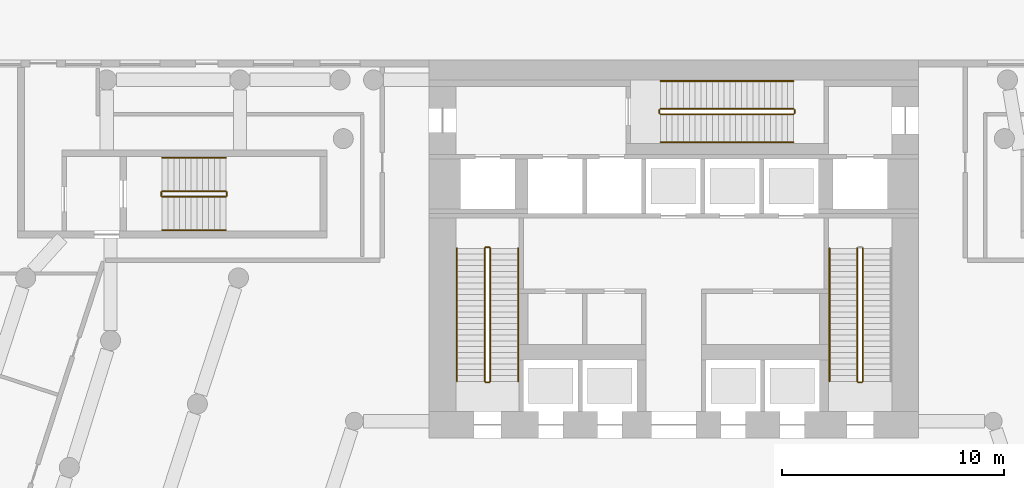
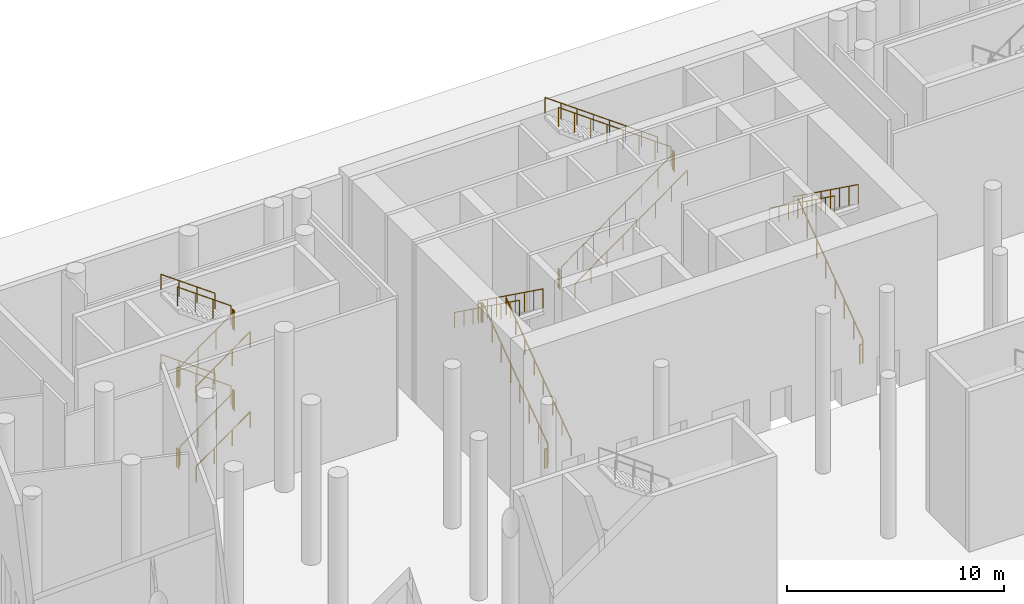
# One storey, part 23 of 25: 28 railings.
"""IFC4 building model written with IfcOpenShell, lengths in metres."""

from ifc_helpers import new_model, si_unit, direction, frame, origin, origin_2d, place, context, subcontext, project, spatial, circle, extrude, material, type_object, element, save


model = new_model("IFC4")

# Units and contexts
model_context = context("Model", 3, precision=1e-05, world=origin(), true_north=direction((0.0, 1.0)))
body_context = subcontext(model_context, "Body", "Model", "MODEL_VIEW")
ifc_project = project(units=[si_unit("LENGTHUNIT", "METRE"), si_unit("AREAUNIT", "SQUARE_METRE"), si_unit("VOLUMEUNIT", "CUBIC_METRE"), si_unit("PLANEANGLEUNIT", "RADIAN"), si_unit("MASSUNIT", "GRAM", prefix="KILO")], contexts=[model_context])

# Site, building, storey
site_placement = place(None, origin())
site = spatial("IfcSite", under=ifc_project, at=site_placement, CompositionType="ELEMENT")
building_placement = place(site_placement, origin())
building = spatial("IfcBuilding", under=site, at=building_placement, Name="White Candle Pilgrim Tower", CompositionType="ELEMENT")
storey_placement = place(building_placement, origin())
storey = spatial("IfcBuildingStorey", under=building, at=storey_placement, Name="L00", CompositionType="ELEMENT", Elevation=0.0)

# Railings
ifc_material = material(Name="Stainless steel", Category="steel")
railing_type_1 = type_object("IfcRailingType", Name="Stair guard stainless steel 1100 mm", PredefinedType="GUARDRAIL", material=ifc_material)
railing_1_placement = place(storey_placement, frame((61.75, 73.550048828125, 0.1875)))
element("IfcRailing", 1, at=railing_1_placement, inside=storey, type_object=railing_type_1, Name="L00 ST1 stair guard 1", PredefinedType="GUARDRAIL", context=body_context, shape_type="SweptSolid", body=[
    extrude(circle(Radius=0.02392578125, at=origin_2d()), frame((0.0, 0.0, 1.076171875), z_axis=(0.0, 0.811089425434, 0.584922169138), x_axis=(-1.0, 0.0, 0.0)), (0.0, 0.0, 1.0), 7.372802734375),
    extrude(circle(Radius=0.02099609375, at=origin_2d()), origin(), (0.0, 0.0, 1.0), 1.052001953125),
    extrude(circle(Radius=0.02099609375, at=origin_2d()), frame((0.0, 0.854248046875, 0.615966796875)), (0.0, 0.0, 1.0), 1.052001953125),
    extrude(circle(Radius=0.02099609375, at=origin_2d()), frame((0.0, 1.70849609375, 1.232177734375)), (0.0, 0.0, 1.0), 1.052001953125),
    extrude(circle(Radius=0.02099609375, at=origin_2d()), frame((0.0, 2.562744140625, 1.84814453125)), (0.0, 0.0, 1.0), 1.052001953125),
    extrude(circle(Radius=0.02099609375, at=origin_2d()), frame((0.0, 3.417236328125, 2.46435546875)), (0.0, 0.0, 1.0), 1.052001953125),
    extrude(circle(Radius=0.02099609375, at=origin_2d()), frame((0.0, 4.271484375, 3.080322265625)), (0.0, 0.0, 1.0), 1.052001953125),
    extrude(circle(Radius=0.02099609375, at=origin_2d()), frame((0.0, 5.125732421875, 3.696533203125)), (0.0, 0.0, 1.0), 1.052001953125),
    extrude(circle(Radius=0.02099609375, at=origin_2d()), frame((0.0, 5.97998046875, 4.3125)), (0.0, 0.0, 1.0), 1.052001953125),
])
railing_2_placement = place(storey_placement, frame((61.699951171875, 79.580078125, 4.5)))
element("IfcRailing", 2, at=railing_2_placement, inside=storey, type_object=railing_type_1, Name="L00 ST1 stair guard 2", PredefinedType="GUARDRAIL", context=body_context, shape_type="SweptSolid", body=[
    extrude(circle(Radius=0.02392578125, at=origin_2d()), frame((0.0, 0.0, 1.076171875), z_axis=(-1.0, 0.0, 0.0), x_axis=(0.0, -1.0, 0.0)), (0.0, 0.0, 1.0), 0.14990234375),
    extrude(circle(Radius=0.02099609375, at=origin_2d()), origin(), (0.0, 0.0, 1.0), 1.052001953125),
    extrude(circle(Radius=0.02099609375, at=origin_2d()), frame((-0.14990234375, 0.0, 0.0)), (0.0, 0.0, 1.0), 1.052001953125),
])
railing_3_placement = place(storey_placement, frame((61.5, 79.530029296875, 4.6875)))
element("IfcRailing", 3, at=railing_3_placement, inside=storey, type_object=railing_type_1, Name="L00 ST1 stair guard 3", PredefinedType="GUARDRAIL", context=body_context, shape_type="SweptSolid", body=[
    extrude(circle(Radius=0.02392578125, at=origin_2d()), frame((0.0, 0.0, 1.076171875), z_axis=(0.0, -0.811089425434, 0.584922169138), x_axis=(1.0, 0.0, 0.0)), (0.0, 0.0, 1.0), 7.372802734375),
    extrude(circle(Radius=0.02099609375, at=origin_2d()), origin(), (0.0, 0.0, 1.0), 1.052001953125),
    extrude(circle(Radius=0.02099609375, at=origin_2d()), frame((0.0, -0.854248046875, 0.615966796875)), (0.0, 0.0, 1.0), 1.052001953125),
    extrude(circle(Radius=0.02099609375, at=origin_2d()), frame((0.0, -1.70849609375, 1.232177734375)), (0.0, 0.0, 1.0), 1.052001953125),
    extrude(circle(Radius=0.02099609375, at=origin_2d()), frame((0.0, -2.562744140625, 1.84814453125)), (0.0, 0.0, 1.0), 1.052001953125),
    extrude(circle(Radius=0.02099609375, at=origin_2d()), frame((0.0, -3.417236328125, 2.46435546875)), (0.0, 0.0, 1.0), 1.052001953125),
    extrude(circle(Radius=0.02099609375, at=origin_2d()), frame((0.0, -4.271484375, 3.080322265625)), (0.0, 0.0, 1.0), 1.052001953125),
    extrude(circle(Radius=0.02099609375, at=origin_2d()), frame((0.0, -5.125732421875, 3.696533203125)), (0.0, 0.0, 1.0), 1.052001953125),
    extrude(circle(Radius=0.02099609375, at=origin_2d()), frame((0.0, -5.97998046875, 4.3125)), (0.0, 0.0, 1.0), 1.052001953125),
])
railing_4_placement = place(storey_placement, frame((61.699951171875, 73.5, 0.0)))
element("IfcRailing", 4, at=railing_4_placement, inside=storey, type_object=railing_type_1, Name="L00 ST1 stair guard 4", PredefinedType="GUARDRAIL", context=body_context, shape_type="SweptSolid", body=[
    extrude(circle(Radius=0.02392578125, at=origin_2d()), frame((0.0, 0.0, 1.076171875), z_axis=(-1.0, 0.0, 0.0), x_axis=(0.0, -1.0, 0.0)), (0.0, 0.0, 1.0), 0.14990234375),
    extrude(circle(Radius=0.02099609375, at=origin_2d()), origin(), (0.0, 0.0, 1.0), 1.052001953125),
    extrude(circle(Radius=0.02099609375, at=origin_2d()), frame((-0.14990234375, 0.0, 0.0)), (0.0, 0.0, 1.0), 1.052001953125),
])
railing_5_placement = place(storey_placement, frame((78.5, 73.550048828125, 0.1875)))
element("IfcRailing", 5, at=railing_5_placement, inside=storey, type_object=railing_type_1, Name="L00 ST2 stair guard 1", PredefinedType="GUARDRAIL", context=body_context, shape_type="SweptSolid", body=[
    extrude(circle(Radius=0.02392578125, at=origin_2d()), frame((0.0, 0.0, 1.076171875), z_axis=(0.0, 0.811089425434, 0.584922169138), x_axis=(-1.0, 0.0, 0.0)), (0.0, 0.0, 1.0), 7.372802734375),
    extrude(circle(Radius=0.02099609375, at=origin_2d()), origin(), (0.0, 0.0, 1.0), 1.052001953125),
    extrude(circle(Radius=0.02099609375, at=origin_2d()), frame((0.0, 0.854248046875, 0.615966796875)), (0.0, 0.0, 1.0), 1.052001953125),
    extrude(circle(Radius=0.02099609375, at=origin_2d()), frame((0.0, 1.70849609375, 1.232177734375)), (0.0, 0.0, 1.0), 1.052001953125),
    extrude(circle(Radius=0.02099609375, at=origin_2d()), frame((0.0, 2.562744140625, 1.84814453125)), (0.0, 0.0, 1.0), 1.052001953125),
    extrude(circle(Radius=0.02099609375, at=origin_2d()), frame((0.0, 3.417236328125, 2.46435546875)), (0.0, 0.0, 1.0), 1.052001953125),
    extrude(circle(Radius=0.02099609375, at=origin_2d()), frame((0.0, 4.271484375, 3.080322265625)), (0.0, 0.0, 1.0), 1.052001953125),
    extrude(circle(Radius=0.02099609375, at=origin_2d()), frame((0.0, 5.125732421875, 3.696533203125)), (0.0, 0.0, 1.0), 1.052001953125),
    extrude(circle(Radius=0.02099609375, at=origin_2d()), frame((0.0, 5.97998046875, 4.3125)), (0.0, 0.0, 1.0), 1.052001953125),
])
railing_6_placement = place(storey_placement, frame((78.25, 79.530029296875, 4.6875)))
element("IfcRailing", 6, at=railing_6_placement, inside=storey, type_object=railing_type_1, Name="L00 ST2 stair guard 3", PredefinedType="GUARDRAIL", context=body_context, shape_type="SweptSolid", body=[
    extrude(circle(Radius=0.02392578125, at=origin_2d()), frame((0.0, 0.0, 1.076171875), z_axis=(0.0, -0.811089425434, 0.584922169138), x_axis=(1.0, 0.0, 0.0)), (0.0, 0.0, 1.0), 7.372802734375),
    extrude(circle(Radius=0.02099609375, at=origin_2d()), origin(), (0.0, 0.0, 1.0), 1.052001953125),
    extrude(circle(Radius=0.02099609375, at=origin_2d()), frame((0.0, -0.854248046875, 0.615966796875)), (0.0, 0.0, 1.0), 1.052001953125),
    extrude(circle(Radius=0.02099609375, at=origin_2d()), frame((0.0, -1.70849609375, 1.232177734375)), (0.0, 0.0, 1.0), 1.052001953125),
    extrude(circle(Radius=0.02099609375, at=origin_2d()), frame((0.0, -2.562744140625, 1.84814453125)), (0.0, 0.0, 1.0), 1.052001953125),
    extrude(circle(Radius=0.02099609375, at=origin_2d()), frame((0.0, -3.417236328125, 2.46435546875)), (0.0, 0.0, 1.0), 1.052001953125),
    extrude(circle(Radius=0.02099609375, at=origin_2d()), frame((0.0, -4.271484375, 3.080322265625)), (0.0, 0.0, 1.0), 1.052001953125),
    extrude(circle(Radius=0.02099609375, at=origin_2d()), frame((0.0, -5.125732421875, 3.696533203125)), (0.0, 0.0, 1.0), 1.052001953125),
    extrude(circle(Radius=0.02099609375, at=origin_2d()), frame((0.0, -5.97998046875, 4.3125)), (0.0, 0.0, 1.0), 1.052001953125),
])
railing_7_placement = place(storey_placement, frame((78.449951171875, 73.5, 0.0)))
element("IfcRailing", 7, at=railing_7_placement, inside=storey, type_object=railing_type_1, Name="L00 ST2 stair guard 4", PredefinedType="GUARDRAIL", context=body_context, shape_type="SweptSolid", body=[
    extrude(circle(Radius=0.02392578125, at=origin_2d()), frame((0.0, 0.0, 1.076171875), z_axis=(-1.0, 0.0, 0.0), x_axis=(0.0, -1.0, 0.0)), (0.0, 0.0, 1.0), 0.14990234375),
    extrude(circle(Radius=0.02099609375, at=origin_2d()), origin(), (0.0, 0.0, 1.0), 1.052001953125),
    extrude(circle(Radius=0.02099609375, at=origin_2d()), frame((-0.14990234375, 0.0, 0.0)), (0.0, 0.0, 1.0), 1.052001953125),
])
railing_8_placement = place(storey_placement, frame((69.39990234375, 85.550048828125, 0.1875)))
element("IfcRailing", 8, at=railing_8_placement, inside=storey, type_object=railing_type_1, Name="L00 ST3 stair guard 1", PredefinedType="GUARDRAIL", context=body_context, shape_type="SweptSolid", body=[
    extrude(circle(Radius=0.02392578125, at=origin_2d()), frame((0.0, 0.0, 1.076171875), z_axis=(0.811089425434, 0.0, 0.584922169138), x_axis=(0.0, 1.0, 0.0)), (0.0, 0.0, 1.0), 7.372802734375),
    extrude(circle(Radius=0.02099609375, at=origin_2d()), origin(), (0.0, 0.0, 1.0), 1.052001953125),
    extrude(circle(Radius=0.02099609375, at=origin_2d()), frame((0.854248046875, 0.0, 0.615966796875)), (0.0, 0.0, 1.0), 1.052001953125),
    extrude(circle(Radius=0.02099609375, at=origin_2d()), frame((1.70849609375, 0.0, 1.232177734375)), (0.0, 0.0, 1.0), 1.052001953125),
    extrude(circle(Radius=0.02099609375, at=origin_2d()), frame((2.562744140625, 0.0, 1.84814453125)), (0.0, 0.0, 1.0), 1.052001953125),
    extrude(circle(Radius=0.02099609375, at=origin_2d()), frame((3.417236328125, 0.0, 2.46435546875)), (0.0, 0.0, 1.0), 1.052001953125),
    extrude(circle(Radius=0.02099609375, at=origin_2d()), frame((4.271484375, 0.0, 3.080322265625)), (0.0, 0.0, 1.0), 1.052001953125),
    extrude(circle(Radius=0.02099609375, at=origin_2d()), frame((5.125732421875, 0.0, 3.696533203125)), (0.0, 0.0, 1.0), 1.052001953125),
    extrude(circle(Radius=0.02099609375, at=origin_2d()), frame((5.97998046875, 0.0, 4.3125)), (0.0, 0.0, 1.0), 1.052001953125),
])
railing_9_placement = place(storey_placement, frame((75.429931640625, 85.60009765625, 4.5)))
element("IfcRailing", 9, at=railing_9_placement, inside=storey, type_object=railing_type_1, Name="L00 ST3 stair guard 2", PredefinedType="GUARDRAIL", context=body_context, shape_type="SweptSolid", body=[
    extrude(circle(Radius=0.02392578125, at=origin_2d()), frame((0.0, 0.0, 1.076171875), z_axis=(0.0, 1.0, 0.0), x_axis=(-1.0, 0.0, 0.0)), (0.0, 0.0, 1.0), 0.14990234375),
    extrude(circle(Radius=0.02099609375, at=origin_2d()), origin(), (0.0, 0.0, 1.0), 1.052001953125),
    extrude(circle(Radius=0.02099609375, at=origin_2d()), frame((0.0, 0.14990234375, 0.0)), (0.0, 0.0, 1.0), 1.052001953125),
])
railing_10_placement = place(storey_placement, frame((75.3798828125, 85.800048828125, 4.6875)))
element("IfcRailing", 10, at=railing_10_placement, inside=storey, type_object=railing_type_1, Name="L00 ST3 stair guard 3", PredefinedType="GUARDRAIL", context=body_context, shape_type="SweptSolid", body=[
    extrude(circle(Radius=0.02392578125, at=origin_2d()), frame((0.0, 0.0, 1.076171875), z_axis=(-0.811089425434, 0.0, 0.584922169138), x_axis=(0.0, -1.0, 0.0)), (0.0, 0.0, 1.0), 7.372802734375),
    extrude(circle(Radius=0.02099609375, at=origin_2d()), origin(), (0.0, 0.0, 1.0), 1.052001953125),
    extrude(circle(Radius=0.02099609375, at=origin_2d()), frame((-0.854248046875, 0.0, 0.615966796875)), (0.0, 0.0, 1.0), 1.052001953125),
    extrude(circle(Radius=0.02099609375, at=origin_2d()), frame((-1.70849609375, 0.0, 1.232177734375)), (0.0, 0.0, 1.0), 1.052001953125),
    extrude(circle(Radius=0.02099609375, at=origin_2d()), frame((-2.562744140625, 0.0, 1.84814453125)), (0.0, 0.0, 1.0), 1.052001953125),
    extrude(circle(Radius=0.02099609375, at=origin_2d()), frame((-3.417236328125, 0.0, 2.46435546875)), (0.0, 0.0, 1.0), 1.052001953125),
    extrude(circle(Radius=0.02099609375, at=origin_2d()), frame((-4.271484375, 0.0, 3.080322265625)), (0.0, 0.0, 1.0), 1.052001953125),
    extrude(circle(Radius=0.02099609375, at=origin_2d()), frame((-5.125732421875, 0.0, 3.696533203125)), (0.0, 0.0, 1.0), 1.052001953125),
    extrude(circle(Radius=0.02099609375, at=origin_2d()), frame((-5.97998046875, 0.0, 4.3125)), (0.0, 0.0, 1.0), 1.052001953125),
])
railing_11_placement = place(storey_placement, frame((69.35009765625, 85.60009765625, 0.0)))
element("IfcRailing", 11, at=railing_11_placement, inside=storey, type_object=railing_type_1, Name="L00 ST3 stair guard 4", PredefinedType="GUARDRAIL", context=body_context, shape_type="SweptSolid", body=[
    extrude(circle(Radius=0.02392578125, at=origin_2d()), frame((0.0, 0.0, 1.076171875), z_axis=(0.0, 1.0, 0.0), x_axis=(-1.0, 0.0, 0.0)), (0.0, 0.0, 1.0), 0.14990234375),
    extrude(circle(Radius=0.02099609375, at=origin_2d()), origin(), (0.0, 0.0, 1.0), 1.052001953125),
    extrude(circle(Radius=0.02099609375, at=origin_2d()), frame((0.0, 0.14990234375, 0.0)), (0.0, 0.0, 1.0), 1.052001953125),
])
railing_12_placement = place(storey_placement, frame((47.0, 81.85009765625, 0.1875)))
element("IfcRailing", 12, at=railing_12_placement, inside=storey, type_object=railing_type_1, Name="L00 ST10 stair guard 1", PredefinedType="GUARDRAIL", context=body_context, shape_type="SweptSolid", body=[
    extrude(circle(Radius=0.02392578125, at=origin_2d()), frame((0.0, 0.0, 1.076171875), z_axis=(0.811100754333, 0.0, 0.584906459462), x_axis=(0.0, 1.0, 0.0)), (0.0, 0.0, 1.0), 3.526123046875),
    extrude(circle(Radius=0.02099609375, at=origin_2d()), origin(), (0.0, 0.0, 1.0), 1.052001953125),
    extrude(circle(Radius=0.02099609375, at=origin_2d()), frame((0.953369140625, 0.0, 0.6875)), (0.0, 0.0, 1.0), 1.052001953125),
    extrude(circle(Radius=0.02099609375, at=origin_2d()), frame((1.90673828125, 0.0, 1.375)), (0.0, 0.0, 1.0), 1.052001953125),
    extrude(circle(Radius=0.02099609375, at=origin_2d()), frame((2.860107421875, 0.0, 2.0625)), (0.0, 0.0, 1.0), 1.052001953125),
])
railing_13_placement = place(storey_placement, frame((49.909912109375, 81.89990234375, 2.25)))
element("IfcRailing", 13, at=railing_13_placement, inside=storey, type_object=railing_type_1, Name="L00 ST10 stair guard 2", PredefinedType="GUARDRAIL", context=body_context, shape_type="SweptSolid", body=[
    extrude(circle(Radius=0.02392578125, at=origin_2d()), frame((0.0, 0.0, 1.076171875), z_axis=(0.0, 1.0, 0.0), x_axis=(-1.0, 0.0, 0.0)), (0.0, 0.0, 1.0), 0.150146484375),
    extrude(circle(Radius=0.02099609375, at=origin_2d()), origin(), (0.0, 0.0, 1.0), 1.052001953125),
    extrude(circle(Radius=0.02099609375, at=origin_2d()), frame((0.0, 0.150146484375, 0.0)), (0.0, 0.0, 1.0), 1.052001953125),
])
railing_14_placement = place(storey_placement, frame((49.860107421875, 82.10009765625, 2.4375)))
element("IfcRailing", 14, at=railing_14_placement, inside=storey, type_object=railing_type_1, Name="L00 ST10 stair guard 3", PredefinedType="GUARDRAIL", context=body_context, shape_type="SweptSolid", body=[
    extrude(circle(Radius=0.02392578125, at=origin_2d()), frame((0.0, 0.0, 1.076171875), z_axis=(-0.811100754333, 0.0, 0.584906459462), x_axis=(0.0, -1.0, 0.0)), (0.0, 0.0, 1.0), 3.526123046875),
    extrude(circle(Radius=0.02099609375, at=origin_2d()), origin(), (0.0, 0.0, 1.0), 1.052001953125),
    extrude(circle(Radius=0.02099609375, at=origin_2d()), frame((-0.953369140625, 0.0, 0.6875)), (0.0, 0.0, 1.0), 1.052001953125),
    extrude(circle(Radius=0.02099609375, at=origin_2d()), frame((-1.90673828125, 0.0, 1.375)), (0.0, 0.0, 1.0), 1.052001953125),
    extrude(circle(Radius=0.02099609375, at=origin_2d()), frame((-2.860107421875, 0.0, 2.0625)), (0.0, 0.0, 1.0), 1.052001953125),
])
railing_15_placement = place(storey_placement, frame((46.949951171875, 81.89990234375, 4.5)))
element("IfcRailing", 15, at=railing_15_placement, inside=storey, type_object=railing_type_1, Name="L00 ST10 stair guard 4", PredefinedType="GUARDRAIL", context=body_context, shape_type="SweptSolid", body=[
    extrude(circle(Radius=0.02392578125, at=origin_2d()), frame((0.0, 0.0, 1.076171875), z_axis=(0.0, 1.0, 0.0), x_axis=(-1.0, 0.0, 0.0)), (0.0, 0.0, 1.0), 0.150146484375),
    extrude(circle(Radius=0.02099609375, at=origin_2d()), origin(), (0.0, 0.0, 1.0), 1.052001953125),
    extrude(circle(Radius=0.02099609375, at=origin_2d()), frame((0.0, 0.150146484375, 0.0)), (0.0, 0.0, 1.0), 1.052001953125),
])
railing_16_placement = place(storey_placement, frame((47.0, 81.85009765625, 4.6875)))
element("IfcRailing", 16, at=railing_16_placement, inside=storey, type_object=railing_type_1, Name="L00 ST10 stair guard 5", PredefinedType="GUARDRAIL", context=body_context, shape_type="SweptSolid", body=[
    extrude(circle(Radius=0.02392578125, at=origin_2d()), frame((0.0, 0.0, 1.076171875), z_axis=(0.811100754333, 0.0, 0.584906459462), x_axis=(0.0, 1.0, 0.0)), (0.0, 0.0, 1.0), 3.526123046875),
    extrude(circle(Radius=0.02099609375, at=origin_2d()), origin(), (0.0, 0.0, 1.0), 1.052001953125),
    extrude(circle(Radius=0.02099609375, at=origin_2d()), frame((0.953369140625, 0.0, 0.6875)), (0.0, 0.0, 1.0), 1.052001953125),
    extrude(circle(Radius=0.02099609375, at=origin_2d()), frame((1.90673828125, 0.0, 1.375)), (0.0, 0.0, 1.0), 1.052001953125),
    extrude(circle(Radius=0.02099609375, at=origin_2d()), frame((2.860107421875, 0.0, 2.0625)), (0.0, 0.0, 1.0), 1.052001953125),
])
railing_17_placement = place(storey_placement, frame((49.909912109375, 81.89990234375, 6.75)))
element("IfcRailing", 17, at=railing_17_placement, inside=storey, type_object=railing_type_1, Name="L00 ST10 stair guard 6", PredefinedType="GUARDRAIL", context=body_context, shape_type="SweptSolid", body=[
    extrude(circle(Radius=0.02392578125, at=origin_2d()), frame((0.0, 0.0, 1.076171875), z_axis=(0.0, 1.0, 0.0), x_axis=(-1.0, 0.0, 0.0)), (0.0, 0.0, 1.0), 0.150146484375),
    extrude(circle(Radius=0.02099609375, at=origin_2d()), origin(), (0.0, 0.0, 1.0), 1.052001953125),
    extrude(circle(Radius=0.02099609375, at=origin_2d()), frame((0.0, 0.150146484375, 0.0)), (0.0, 0.0, 1.0), 1.052001953125),
])
railing_18_placement = place(storey_placement, frame((49.860107421875, 82.10009765625, 6.9375)))
element("IfcRailing", 18, at=railing_18_placement, inside=storey, type_object=railing_type_1, Name="L00 ST10 stair guard 7", PredefinedType="GUARDRAIL", context=body_context, shape_type="SweptSolid", body=[
    extrude(circle(Radius=0.02392578125, at=origin_2d()), frame((0.0, 0.0, 1.076171875), z_axis=(-0.811100754333, 0.0, 0.584906459462), x_axis=(0.0, -1.0, 0.0)), (0.0, 0.0, 1.0), 3.526123046875),
    extrude(circle(Radius=0.02099609375, at=origin_2d()), origin(), (0.0, 0.0, 1.0), 1.052001953125),
    extrude(circle(Radius=0.02099609375, at=origin_2d()), frame((-0.953369140625, 0.0, 0.6875)), (0.0, 0.0, 1.0), 1.052001953125),
    extrude(circle(Radius=0.02099609375, at=origin_2d()), frame((-1.90673828125, 0.0, 1.375)), (0.0, 0.0, 1.0), 1.052001953125),
    extrude(circle(Radius=0.02099609375, at=origin_2d()), frame((-2.860107421875, 0.0, 2.0625)), (0.0, 0.0, 1.0), 1.052001953125),
])
railing_19_placement = place(storey_placement, frame((46.949951171875, 81.89990234375, 0.0)))
element("IfcRailing", 19, at=railing_19_placement, inside=storey, type_object=railing_type_1, Name="L00 ST10 stair guard 8", PredefinedType="GUARDRAIL", context=body_context, shape_type="SweptSolid", body=[
    extrude(circle(Radius=0.02392578125, at=origin_2d()), frame((0.0, 0.0, 1.076171875), z_axis=(0.0, 1.0, 0.0), x_axis=(-1.0, 0.0, 0.0)), (0.0, 0.0, 1.0), 0.150146484375),
    extrude(circle(Radius=0.02099609375, at=origin_2d()), origin(), (0.0, 0.0, 1.0), 1.052001953125),
    extrude(circle(Radius=0.02099609375, at=origin_2d()), frame((0.0, 0.150146484375, 0.0)), (0.0, 0.0, 1.0), 1.052001953125),
])
railing_type_2 = type_object("IfcRailingType", Name="Stair handrail stainless steel", PredefinedType="HANDRAIL", material=ifc_material)
railing_20_placement = place(storey_placement, frame((63.0, 73.550048828125, 0.1875)))
element("IfcRailing", 20, at=railing_20_placement, inside=storey, type_object=railing_type_2, Name="L00 ST1 stair handrail 1", PredefinedType="HANDRAIL", context=body_context, shape_type="SweptSolid", body=[
    extrude(circle(Radius=0.02392578125, at=origin_2d()), frame((0.0, 0.0, 0.8759765625), z_axis=(0.0, 0.811089425434, 0.584922169138), x_axis=(-1.0, 0.0, 0.0)), (0.0, 0.0, 1.0), 7.372802734375),
    extrude(circle(Radius=0.02099609375, at=origin_2d()), origin(), (0.0, 0.0, 1.0), 0.851806640625),
    extrude(circle(Radius=0.02099609375, at=origin_2d()), frame((0.0, 0.854248046875, 0.615966796875)), (0.0, 0.0, 1.0), 0.851806640625),
    extrude(circle(Radius=0.02099609375, at=origin_2d()), frame((0.0, 1.70849609375, 1.232177734375)), (0.0, 0.0, 1.0), 0.851806640625),
    extrude(circle(Radius=0.02099609375, at=origin_2d()), frame((0.0, 2.562744140625, 1.84814453125)), (0.0, 0.0, 1.0), 0.851806640625),
    extrude(circle(Radius=0.02099609375, at=origin_2d()), frame((0.0, 3.417236328125, 2.46435546875)), (0.0, 0.0, 1.0), 0.851806640625),
    extrude(circle(Radius=0.02099609375, at=origin_2d()), frame((0.0, 4.271484375, 3.080322265625)), (0.0, 0.0, 1.0), 0.851806640625),
    extrude(circle(Radius=0.02099609375, at=origin_2d()), frame((0.0, 5.125732421875, 3.696533203125)), (0.0, 0.0, 1.0), 0.851806640625),
    extrude(circle(Radius=0.02099609375, at=origin_2d()), frame((0.0, 5.97998046875, 4.3125)), (0.0, 0.0, 1.0), 0.851806640625),
])
for number, where, name in (
    (21, (60.25, 79.530029296875, 4.6875), "L00 ST1 stair handrail 2"),
    (22, (77.0, 79.530029296875, 4.6875), "L00 ST2 stair handrail 2"),
):
    element("IfcRailing", number, at=place(storey_placement, frame(where)), inside=storey, type_object=railing_type_2, Name=name, PredefinedType="HANDRAIL", context=body_context, shape_type="SweptSolid", body=[
        extrude(circle(Radius=0.02392578125, at=origin_2d()), frame((0.0, 0.0, 0.8759765625), z_axis=(0.0, -0.811089425434, 0.584922169138), x_axis=(1.0, 0.0, 0.0)), (0.0, 0.0, 1.0), 7.372802734375),
        extrude(circle(Radius=0.02099609375, at=origin_2d()), origin(), (0.0, 0.0, 1.0), 0.851806640625),
        extrude(circle(Radius=0.02099609375, at=origin_2d()), frame((0.0, -0.854248046875, 0.615966796875)), (0.0, 0.0, 1.0), 0.851806640625),
        extrude(circle(Radius=0.02099609375, at=origin_2d()), frame((0.0, -1.70849609375, 1.232177734375)), (0.0, 0.0, 1.0), 0.851806640625),
        extrude(circle(Radius=0.02099609375, at=origin_2d()), frame((0.0, -2.562744140625, 1.84814453125)), (0.0, 0.0, 1.0), 0.851806640625),
        extrude(circle(Radius=0.02099609375, at=origin_2d()), frame((0.0, -3.417236328125, 2.46435546875)), (0.0, 0.0, 1.0), 0.851806640625),
        extrude(circle(Radius=0.02099609375, at=origin_2d()), frame((0.0, -4.271484375, 3.080322265625)), (0.0, 0.0, 1.0), 0.851806640625),
        extrude(circle(Radius=0.02099609375, at=origin_2d()), frame((0.0, -5.125732421875, 3.696533203125)), (0.0, 0.0, 1.0), 0.851806640625),
        extrude(circle(Radius=0.02099609375, at=origin_2d()), frame((0.0, -5.97998046875, 4.3125)), (0.0, 0.0, 1.0), 0.851806640625),
    ])
railing_21_placement = place(storey_placement, frame((69.39990234375, 84.300048828125, 0.1875)))
element("IfcRailing", 23, at=railing_21_placement, inside=storey, type_object=railing_type_2, Name="L00 ST3 stair handrail 1", PredefinedType="HANDRAIL", context=body_context, shape_type="SweptSolid", body=[
    extrude(circle(Radius=0.02392578125, at=origin_2d()), frame((0.0, 0.0, 0.8759765625), z_axis=(0.811089425434, 0.0, 0.584922169138), x_axis=(0.0, 1.0, 0.0)), (0.0, 0.0, 1.0), 7.372802734375),
    extrude(circle(Radius=0.02099609375, at=origin_2d()), origin(), (0.0, 0.0, 1.0), 0.851806640625),
    extrude(circle(Radius=0.02099609375, at=origin_2d()), frame((0.854248046875, 0.0, 0.615966796875)), (0.0, 0.0, 1.0), 0.851806640625),
    extrude(circle(Radius=0.02099609375, at=origin_2d()), frame((1.70849609375, 0.0, 1.232177734375)), (0.0, 0.0, 1.0), 0.851806640625),
    extrude(circle(Radius=0.02099609375, at=origin_2d()), frame((2.562744140625, 0.0, 1.84814453125)), (0.0, 0.0, 1.0), 0.851806640625),
    extrude(circle(Radius=0.02099609375, at=origin_2d()), frame((3.417236328125, 0.0, 2.46435546875)), (0.0, 0.0, 1.0), 0.851806640625),
    extrude(circle(Radius=0.02099609375, at=origin_2d()), frame((4.271484375, 0.0, 3.080322265625)), (0.0, 0.0, 1.0), 0.851806640625),
    extrude(circle(Radius=0.02099609375, at=origin_2d()), frame((5.125732421875, 0.0, 3.696533203125)), (0.0, 0.0, 1.0), 0.851806640625),
    extrude(circle(Radius=0.02099609375, at=origin_2d()), frame((5.97998046875, 0.0, 4.3125)), (0.0, 0.0, 1.0), 0.851806640625),
])
railing_22_placement = place(storey_placement, frame((75.3798828125, 87.050048828125, 4.6875)))
element("IfcRailing", 24, at=railing_22_placement, inside=storey, type_object=railing_type_2, Name="L00 ST3 stair handrail 2", PredefinedType="HANDRAIL", context=body_context, shape_type="SweptSolid", body=[
    extrude(circle(Radius=0.02392578125, at=origin_2d()), frame((0.0, 0.0, 0.8759765625), z_axis=(-0.811089425434, 0.0, 0.584922169138), x_axis=(0.0, -1.0, 0.0)), (0.0, 0.0, 1.0), 7.372802734375),
    extrude(circle(Radius=0.02099609375, at=origin_2d()), origin(), (0.0, 0.0, 1.0), 0.851806640625),
    extrude(circle(Radius=0.02099609375, at=origin_2d()), frame((-0.854248046875, 0.0, 0.615966796875)), (0.0, 0.0, 1.0), 0.851806640625),
    extrude(circle(Radius=0.02099609375, at=origin_2d()), frame((-1.70849609375, 0.0, 1.232177734375)), (0.0, 0.0, 1.0), 0.851806640625),
    extrude(circle(Radius=0.02099609375, at=origin_2d()), frame((-2.562744140625, 0.0, 1.84814453125)), (0.0, 0.0, 1.0), 0.851806640625),
    extrude(circle(Radius=0.02099609375, at=origin_2d()), frame((-3.417236328125, 0.0, 2.46435546875)), (0.0, 0.0, 1.0), 0.851806640625),
    extrude(circle(Radius=0.02099609375, at=origin_2d()), frame((-4.271484375, 0.0, 3.080322265625)), (0.0, 0.0, 1.0), 0.851806640625),
    extrude(circle(Radius=0.02099609375, at=origin_2d()), frame((-5.125732421875, 0.0, 3.696533203125)), (0.0, 0.0, 1.0), 0.851806640625),
    extrude(circle(Radius=0.02099609375, at=origin_2d()), frame((-5.97998046875, 0.0, 4.3125)), (0.0, 0.0, 1.0), 0.851806640625),
])
railing_23_placement = place(storey_placement, frame((47.0, 80.35009765625, 0.1875)))
element("IfcRailing", 25, at=railing_23_placement, inside=storey, type_object=railing_type_2, Name="L00 ST10 stair handrail 1", PredefinedType="HANDRAIL", context=body_context, shape_type="SweptSolid", body=[
    extrude(circle(Radius=0.02392578125, at=origin_2d()), frame((0.0, 0.0, 0.8759765625), z_axis=(0.811100754333, 0.0, 0.584906459462), x_axis=(0.0, 1.0, 0.0)), (0.0, 0.0, 1.0), 3.526123046875),
    extrude(circle(Radius=0.02099609375, at=origin_2d()), origin(), (0.0, 0.0, 1.0), 0.851806640625),
    extrude(circle(Radius=0.02099609375, at=origin_2d()), frame((0.953369140625, 0.0, 0.6875)), (0.0, 0.0, 1.0), 0.851806640625),
    extrude(circle(Radius=0.02099609375, at=origin_2d()), frame((1.90673828125, 0.0, 1.375)), (0.0, 0.0, 1.0), 0.851806640625),
    extrude(circle(Radius=0.02099609375, at=origin_2d()), frame((2.860107421875, 0.0, 2.0625)), (0.0, 0.0, 1.0), 0.851806640625),
])
railing_24_placement = place(storey_placement, frame((49.860107421875, 83.60009765625, 2.4375)))
element("IfcRailing", 26, at=railing_24_placement, inside=storey, type_object=railing_type_2, Name="L00 ST10 stair handrail 2", PredefinedType="HANDRAIL", context=body_context, shape_type="SweptSolid", body=[
    extrude(circle(Radius=0.02392578125, at=origin_2d()), frame((0.0, 0.0, 0.8759765625), z_axis=(-0.811100754333, 0.0, 0.584906459462), x_axis=(0.0, -1.0, 0.0)), (0.0, 0.0, 1.0), 3.526123046875),
    extrude(circle(Radius=0.02099609375, at=origin_2d()), origin(), (0.0, 0.0, 1.0), 0.851806640625),
    extrude(circle(Radius=0.02099609375, at=origin_2d()), frame((-0.953369140625, 0.0, 0.6875)), (0.0, 0.0, 1.0), 0.851806640625),
    extrude(circle(Radius=0.02099609375, at=origin_2d()), frame((-1.90673828125, 0.0, 1.375)), (0.0, 0.0, 1.0), 0.851806640625),
    extrude(circle(Radius=0.02099609375, at=origin_2d()), frame((-2.860107421875, 0.0, 2.0625)), (0.0, 0.0, 1.0), 0.851806640625),
])
railing_25_placement = place(storey_placement, frame((47.0, 80.35009765625, 4.6875)))
element("IfcRailing", 27, at=railing_25_placement, inside=storey, type_object=railing_type_2, Name="L00 ST10 stair handrail 3", PredefinedType="HANDRAIL", context=body_context, shape_type="SweptSolid", body=[
    extrude(circle(Radius=0.02392578125, at=origin_2d()), frame((0.0, 0.0, 0.8759765625), z_axis=(0.811100754333, 0.0, 0.584906459462), x_axis=(0.0, 1.0, 0.0)), (0.0, 0.0, 1.0), 3.526123046875),
    extrude(circle(Radius=0.02099609375, at=origin_2d()), origin(), (0.0, 0.0, 1.0), 0.851806640625),
    extrude(circle(Radius=0.02099609375, at=origin_2d()), frame((0.953369140625, 0.0, 0.6875)), (0.0, 0.0, 1.0), 0.851806640625),
    extrude(circle(Radius=0.02099609375, at=origin_2d()), frame((1.90673828125, 0.0, 1.375)), (0.0, 0.0, 1.0), 0.851806640625),
    extrude(circle(Radius=0.02099609375, at=origin_2d()), frame((2.860107421875, 0.0, 2.0625)), (0.0, 0.0, 1.0), 0.851806640625),
])
railing_26_placement = place(storey_placement, frame((49.860107421875, 83.60009765625, 6.9375)))
element("IfcRailing", 28, at=railing_26_placement, inside=storey, type_object=railing_type_2, Name="L00 ST10 stair handrail 4", PredefinedType="HANDRAIL", context=body_context, shape_type="SweptSolid", body=[
    extrude(circle(Radius=0.02392578125, at=origin_2d()), frame((0.0, 0.0, 0.8759765625), z_axis=(-0.811100754333, 0.0, 0.584906459462), x_axis=(0.0, -1.0, 0.0)), (0.0, 0.0, 1.0), 3.526123046875),
    extrude(circle(Radius=0.02099609375, at=origin_2d()), origin(), (0.0, 0.0, 1.0), 0.851806640625),
    extrude(circle(Radius=0.02099609375, at=origin_2d()), frame((-0.953369140625, 0.0, 0.6875)), (0.0, 0.0, 1.0), 0.851806640625),
    extrude(circle(Radius=0.02099609375, at=origin_2d()), frame((-1.90673828125, 0.0, 1.375)), (0.0, 0.0, 1.0), 0.851806640625),
    extrude(circle(Radius=0.02099609375, at=origin_2d()), frame((-2.860107421875, 0.0, 2.0625)), (0.0, 0.0, 1.0), 0.851806640625),
])

save(model, "model.ifc")
